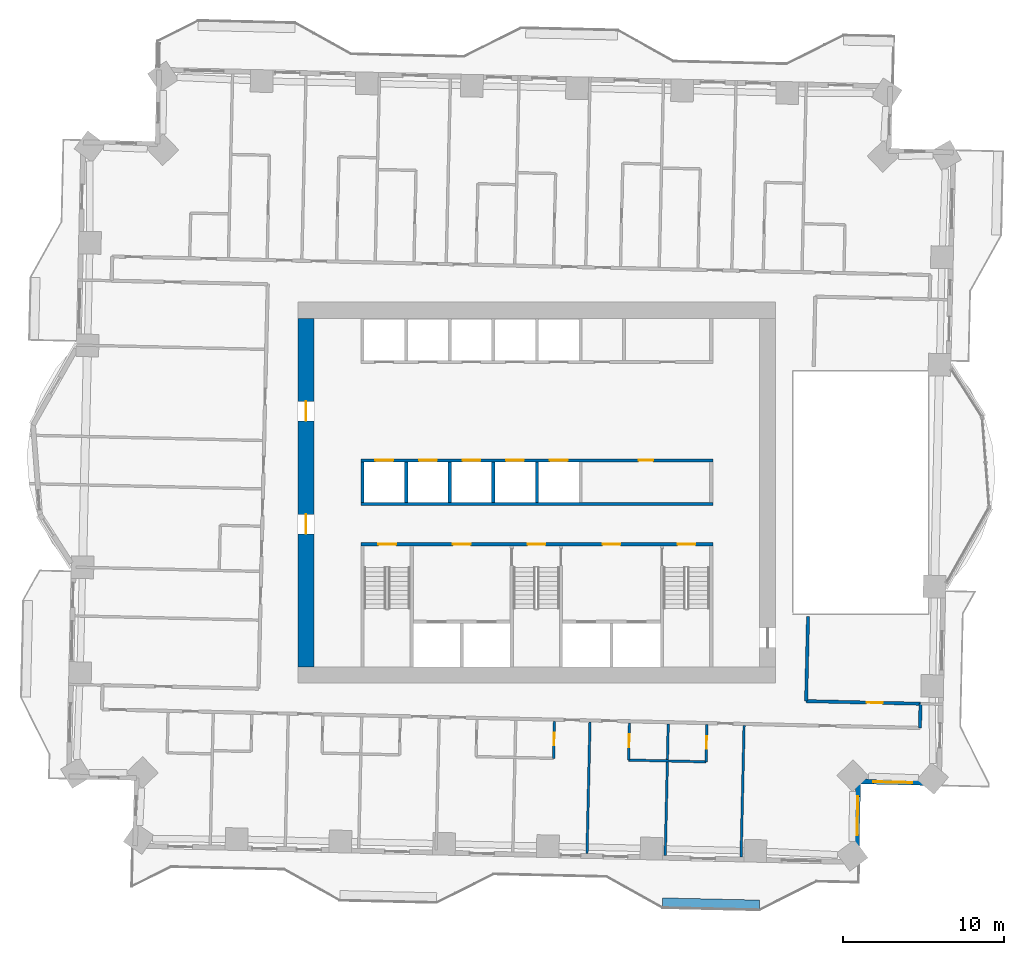
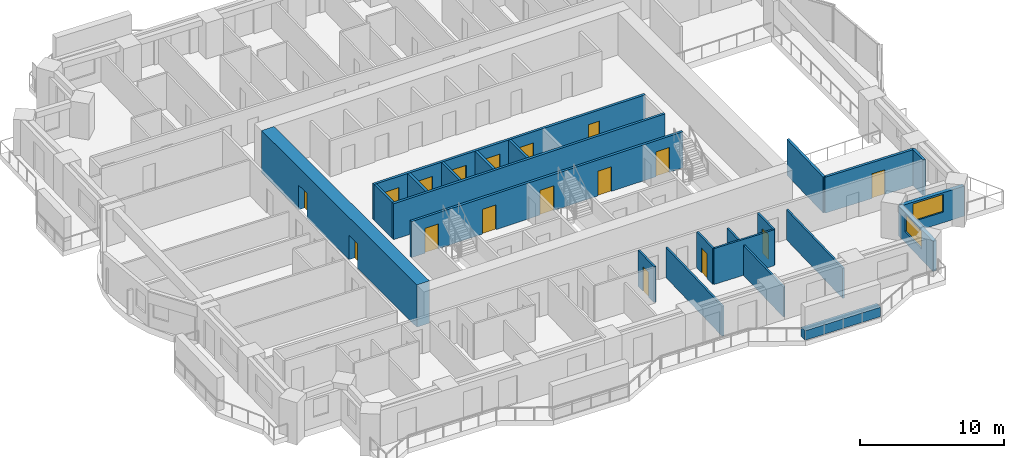
# One storey, part 8 of 16: 22 walls, 17 doors, 2 windows, 19 openings.
"""IFC4 building model written with IfcOpenShell, lengths in metres."""

from ifc_helpers import new_model, si_unit, direction, frame, frame_2d, origin, place, context, subcontext, project, spatial, rectangle, extrude, material, layer, layer_set, type_object, element, fill, save


model = new_model("IFC4")

# Units and contexts
model_context = context("Model", 3, precision=1e-05, world=origin(), true_north=direction((0.0, 1.0)))
body_context = subcontext(model_context, "Body", "Model", "MODEL_VIEW")
ifc_project = project(units=[si_unit("LENGTHUNIT", "METRE"), si_unit("AREAUNIT", "SQUARE_METRE"), si_unit("VOLUMEUNIT", "CUBIC_METRE"), si_unit("PLANEANGLEUNIT", "RADIAN"), si_unit("MASSUNIT", "GRAM", prefix="KILO")], contexts=[model_context])

# Site, building, storey
site_placement = place(None, origin())
site = spatial("IfcSite", under=ifc_project, at=site_placement, CompositionType="ELEMENT")
building_placement = place(site_placement, origin())
building = spatial("IfcBuilding", under=site, at=building_placement, Name="Mangrove Gate Tower", CompositionType="ELEMENT")
storey_placement = place(building_placement, frame((0.0, 0.0, 101.89990234375)))
storey = spatial("IfcBuildingStorey", under=building, at=storey_placement, Name="L25", CompositionType="ELEMENT", Elevation=101.89990234375)

# Wall
ifc_material_1 = material(Name="Concrete C70/85", Category="concrete")
ifc_layer_1 = layer(ifc_material_1, 0.199951171875)
ifc_layer_set_1 = layer_set([ifc_layer_1], Name="Core shaft wall 200 C70/85")
wall_type_1 = type_object("IfcWallType", Name="Core shaft wall 200 C70/85", PredefinedType="SHEAR", material=ifc_layer_set_1)
wall_1_placement = place(storey_placement, frame((-10.89990234375, -0.699951171875, 0.0), z_axis=(0.0, 0.0, 1.0), x_axis=(1.0, 0.0, 0.0)))
element("IfcWall", 1, at=wall_1_placement, inside=storey, type_object=wall_type_1, Name="WALL-L25-CORE-6", PredefinedType="SHEAR", context=body_context, shape_type="SweptSolid", body=[
    extrude(rectangle(XDim=21.7998046875, YDim=0.199951171875, at=frame_2d((10.89990234375, 0.0))), origin(), (0.0, 0.0, 1.0), 3.050048828125),
])

# Wall, openings, doors
wall_2_placement = place(storey_placement, frame((-10.89990234375, 2.0, 0.0), z_axis=(0.0, 0.0, 1.0), x_axis=(1.0, 0.0, 0.0)))
wall_2 = element("IfcWall", 2, at=wall_2_placement, inside=storey, type_object=wall_type_1, Name="WALL-L25-CORE-7", PredefinedType="SHEAR", context=body_context, shape_type="SweptSolid", body=[
    extrude(rectangle(XDim=21.7998046875, YDim=0.199951171875, at=frame_2d((10.89990234375, 0.0))), origin(), (0.0, 0.0, 1.0), 3.050048828125),
])
opening_1_placement = place(wall_2_placement, frame((0.89990234375, 0.0, 0.0)))
opening_1 = element("IfcOpeningElement", 3, at=opening_1_placement, cuts=wall_2, Name="Opening LD", PredefinedType="OPENING", context=body_context, shape_type="SweptSolid", body=[
    extrude(rectangle(XDim=1.10009765625, YDim=2.10009765625, at=frame_2d((0.550048828125, 1.050048828125))), frame((0.0, 0.10986328125, 0.0), z_axis=(0.0, -1.0, 0.0), x_axis=(1.0, 0.0, 0.0)), (0.0, 0.0, 1.0), 0.219970703125),
])
opening_2_placement = place(wall_2_placement, frame((3.60009765625, 0.0, 0.0)))
opening_2 = element("IfcOpeningElement", 4, at=opening_2_placement, cuts=wall_2, Name="Opening LD", PredefinedType="OPENING", context=body_context, shape_type="SweptSolid", body=[
    extrude(rectangle(XDim=1.10009765625, YDim=2.10009765625, at=frame_2d((0.550048828125, 1.050048828125))), frame((0.0, 0.10986328125, 0.0), z_axis=(0.0, -1.0, 0.0), x_axis=(1.0, 0.0, 0.0)), (0.0, 0.0, 1.0), 0.219970703125),
])
opening_3_placement = place(wall_2_placement, frame((6.300048828125, 0.0, 0.0)))
opening_3 = element("IfcOpeningElement", 5, at=opening_3_placement, cuts=wall_2, Name="Opening LD", PredefinedType="OPENING", context=body_context, shape_type="SweptSolid", body=[
    extrude(rectangle(XDim=1.10009765625, YDim=2.10009765625, at=frame_2d((0.550048828125, 1.050048828125))), frame((0.0, 0.10986328125, 0.0), z_axis=(0.0, -1.0, 0.0), x_axis=(1.0, 0.0, 0.0)), (0.0, 0.0, 1.0), 0.219970703125),
])
opening_4_placement = place(wall_2_placement, frame((9.0, 0.0, 0.0)))
opening_4 = element("IfcOpeningElement", 6, at=opening_4_placement, cuts=wall_2, Name="Opening LD", PredefinedType="OPENING", context=body_context, shape_type="SweptSolid", body=[
    extrude(rectangle(XDim=1.10009765625, YDim=2.10009765625, at=frame_2d((0.550048828125, 1.050048828125))), frame((0.0, 0.10986328125, 0.0), z_axis=(0.0, -1.0, 0.0), x_axis=(1.0, 0.0, 0.0)), (0.0, 0.0, 1.0), 0.219970703125),
])
opening_5_placement = place(wall_2_placement, frame((11.699951171875, 0.0, 0.0)))
opening_5 = element("IfcOpeningElement", 7, at=opening_5_placement, cuts=wall_2, Name="Opening LD", PredefinedType="OPENING", context=body_context, shape_type="SweptSolid", body=[
    extrude(rectangle(XDim=1.10009765625, YDim=2.10009765625, at=frame_2d((0.550048828125, 1.050048828125))), frame((0.0, 0.10986328125, 0.0), z_axis=(0.0, -1.0, 0.0), x_axis=(1.0, 0.0, 0.0)), (0.0, 0.0, 1.0), 0.219970703125),
])
opening_6_placement = place(wall_2_placement, frame((17.199951171875, 0.0, 0.0)))
opening_6 = element("IfcOpeningElement", 8, at=opening_6_placement, cuts=wall_2, Name="Opening RD", PredefinedType="OPENING", context=body_context, shape_type="SweptSolid", body=[
    extrude(rectangle(XDim=0.89990234375, YDim=2.10009765625, at=frame_2d((0.449951171875, 1.050048828125))), frame((0.0, 0.10986328125, 0.0), z_axis=(0.0, -1.0, 0.0), x_axis=(1.0, 0.0, 0.0)), (0.0, 0.0, 1.0), 0.219970703125),
])
ifc_material_2 = material(Name="Stainless steel 316", Category="steel")
door_type_1 = type_object("IfcDoorType", Name="Lift landing door 1100x2100", OperationType="SLIDING_TO_LEFT", PredefinedType="DOOR", material=ifc_material_2)
door_1_placement = place(opening_1_placement, origin())
door_1 = element("IfcDoor", 9, at=door_1_placement, inside=storey, type_object=door_type_1, Name="Landing door LD P01", OperationType="SLIDING_TO_LEFT", OverallHeight=2.10009765625, OverallWidth=1.10009765625, PredefinedType="DOOR", context=body_context, shape_type="SweptSolid", body=[
    extrude(rectangle(XDim=1.10009765625, YDim=2.10009765625, at=frame_2d((0.550048828125, 1.050048828125))), frame((0.0, 0.02490234375, 0.0), z_axis=(0.0, -1.0, 0.0), x_axis=(1.0, 0.0, 0.0)), (0.0, 0.0, 1.0), 0.050048828125),
])
fill(opening_1, door_1)
door_2_placement = place(opening_2_placement, origin())
door_2 = element("IfcDoor", 10, at=door_2_placement, inside=storey, type_object=door_type_1, Name="Landing door LD P02", OperationType="SLIDING_TO_LEFT", OverallHeight=2.10009765625, OverallWidth=1.10009765625, PredefinedType="DOOR", context=body_context, shape_type="SweptSolid", body=[
    extrude(rectangle(XDim=1.10009765625, YDim=2.10009765625, at=frame_2d((0.550048828125, 1.050048828125))), frame((0.0, 0.02490234375, 0.0), z_axis=(0.0, -1.0, 0.0), x_axis=(1.0, 0.0, 0.0)), (0.0, 0.0, 1.0), 0.050048828125),
])
fill(opening_2, door_2)
door_3_placement = place(opening_3_placement, origin())
door_3 = element("IfcDoor", 11, at=door_3_placement, inside=storey, type_object=door_type_1, Name="Landing door LD P03", OperationType="SLIDING_TO_LEFT", OverallHeight=2.10009765625, OverallWidth=1.10009765625, PredefinedType="DOOR", context=body_context, shape_type="SweptSolid", body=[
    extrude(rectangle(XDim=1.10009765625, YDim=2.10009765625, at=frame_2d((0.550048828125, 1.050048828125))), frame((0.0, 0.02490234375, 0.0), z_axis=(0.0, -1.0, 0.0), x_axis=(1.0, 0.0, 0.0)), (0.0, 0.0, 1.0), 0.050048828125),
])
fill(opening_3, door_3)
door_4_placement = place(opening_4_placement, origin())
door_4 = element("IfcDoor", 12, at=door_4_placement, inside=storey, type_object=door_type_1, Name="Landing door LD P04", OperationType="SLIDING_TO_LEFT", OverallHeight=2.10009765625, OverallWidth=1.10009765625, PredefinedType="DOOR", context=body_context, shape_type="SweptSolid", body=[
    extrude(rectangle(XDim=1.10009765625, YDim=2.10009765625, at=frame_2d((0.550048828125, 1.050048828125))), frame((0.0, 0.02490234375, 0.0), z_axis=(0.0, -1.0, 0.0), x_axis=(1.0, 0.0, 0.0)), (0.0, 0.0, 1.0), 0.050048828125),
])
fill(opening_4, door_4)
door_5_placement = place(opening_5_placement, origin())
door_5 = element("IfcDoor", 13, at=door_5_placement, inside=storey, type_object=door_type_1, Name="Landing door LD P05", OperationType="SLIDING_TO_LEFT", OverallHeight=2.10009765625, OverallWidth=1.10009765625, PredefinedType="DOOR", context=body_context, shape_type="SweptSolid", body=[
    extrude(rectangle(XDim=1.10009765625, YDim=2.10009765625, at=frame_2d((0.550048828125, 1.050048828125))), frame((0.0, 0.02490234375, 0.0), z_axis=(0.0, -1.0, 0.0), x_axis=(1.0, 0.0, 0.0)), (0.0, 0.0, 1.0), 0.050048828125),
])
fill(opening_5, door_5)
ifc_material_3 = material(Name="Fire-rated steel door set", Category="steel")
door_type_2 = type_object("IfcDoorType", Name="Riser door FD30S 900x2100", OperationType="SINGLE_SWING_LEFT", PredefinedType="DOOR", material=ifc_material_3)
door_6_placement = place(opening_6_placement, origin())
door_6 = element("IfcDoor", 14, at=door_6_placement, inside=storey, type_object=door_type_2, Name="Riser door Electrical room", OperationType="SINGLE_SWING_LEFT", OverallHeight=2.10009765625, OverallWidth=0.89990234375, PredefinedType="DOOR", context=body_context, shape_type="SweptSolid", body=[
    extrude(rectangle(XDim=0.89990234375, YDim=2.10009765625, at=frame_2d((0.449951171875, 1.050048828125))), frame((0.0, 0.02490234375, 0.0), z_axis=(0.0, -1.0, 0.0), x_axis=(1.0, 0.0, 0.0)), (0.0, 0.0, 1.0), 0.050048828125),
])
fill(opening_6, door_6)

# Walls
for number, where, z_axis, x_axis, name in (
    (15, (-10.800048828125, -0.60009765625, 0.0), (0.0, 0.0, 1.0), (0.0, 1.0, 0.0), "WALL-L25-CORE-19"),
    (16, (-8.10009765625, -0.60009765625, 0.0), (0.0, 0.0, 1.0), (0.0, 1.0, 0.0), "WALL-L25-CORE-20"),
    (17, (-5.39990234375, -0.60009765625, 0.0), (0.0, 0.0, 1.0), (0.0, 1.0, 0.0), "WALL-L25-CORE-21"),
    (18, (-2.699951171875, -0.60009765625, 0.0), (0.0, 0.0, 1.0), (0.0, 1.0, 0.0), "WALL-L25-CORE-22"),
    (19, (0.0, -0.60009765625, 0.0), (0.0, 0.0, 1.0), (0.0, 1.0, 0.0), "WALL-L25-CORE-23"),
):
    element("IfcWall", number, at=place(storey_placement, frame(where, z_axis=z_axis, x_axis=x_axis)), inside=storey, type_object=wall_type_1, Name=name, PredefinedType="SHEAR", context=body_context, shape_type="SweptSolid", body=[
        extrude(rectangle(XDim=2.5, YDim=0.199951171875, at=frame_2d((1.25, 0.0))), origin(), (0.0, 0.0, 1.0), 3.050048828125),
    ])

# Wall, openings, doors
ifc_material_4 = material(Name="Concrete C70/85", Category="concrete")
ifc_layer_2 = layer(ifc_material_4, 0.199951171875)
ifc_layer_set_2 = layer_set([ifc_layer_2], Name="Core stair wall 200 C70/85")
wall_type_2 = type_object("IfcWallType", Name="Core stair wall 200 C70/85", PredefinedType="SHEAR", material=ifc_layer_set_2)
wall_3_placement = place(storey_placement, frame((-10.89990234375, -3.199951171875, 0.0), z_axis=(0.0, 0.0, 1.0), x_axis=(1.0, 0.0, 0.0)))
wall_3 = element("IfcWall", 20, at=wall_3_placement, inside=storey, type_object=wall_type_2, Name="WALL-L25-CORE-5", PredefinedType="SHEAR", context=body_context, shape_type="SweptSolid", body=[
    extrude(rectangle(XDim=21.7998046875, YDim=0.199951171875, at=frame_2d((10.89990234375, 0.0))), origin(), (0.0, 0.0, 1.0), 3.050048828125),
])
opening_7_placement = place(wall_3_placement, frame((1.074951171875, 0.0, 0.0)))
opening_7 = element("IfcOpeningElement", 21, at=opening_7_placement, cuts=wall_3, Name="Opening STD11", PredefinedType="OPENING", context=body_context, shape_type="SweptSolid", body=[
    extrude(rectangle(XDim=1.10009765625, YDim=2.10009765625, at=frame_2d((0.550048828125, 1.050048828125))), frame((0.0, 0.10986328125, 0.0), z_axis=(0.0, -1.0, 0.0), x_axis=(1.0, 0.0, 0.0)), (0.0, 0.0, 1.0), 0.219970703125),
])
opening_8_placement = place(wall_3_placement, frame((10.324951171875, 0.0, 0.0)))
opening_8 = element("IfcOpeningElement", 22, at=opening_8_placement, cuts=wall_3, Name="Opening STD11", PredefinedType="OPENING", context=body_context, shape_type="SweptSolid", body=[
    extrude(rectangle(XDim=1.10009765625, YDim=2.10009765625, at=frame_2d((0.550048828125, 1.050048828125))), frame((0.0, 0.10986328125, 0.0), z_axis=(0.0, -1.0, 0.0), x_axis=(1.0, 0.0, 0.0)), (0.0, 0.0, 1.0), 0.219970703125),
])
opening_9_placement = place(wall_3_placement, frame((19.625, 0.0, 0.0)))
opening_9 = element("IfcOpeningElement", 23, at=opening_9_placement, cuts=wall_3, Name="Opening STD11", PredefinedType="OPENING", context=body_context, shape_type="SweptSolid", body=[
    extrude(rectangle(XDim=1.10009765625, YDim=2.10009765625, at=frame_2d((0.550048828125, 1.050048828125))), frame((0.0, 0.10986328125, 0.0), z_axis=(0.0, -1.0, 0.0), x_axis=(1.0, 0.0, 0.0)), (0.0, 0.0, 1.0), 0.219970703125),
])
opening_10_placement = place(wall_3_placement, frame((5.699951171875, 0.0, 0.0)))
opening_10 = element("IfcOpeningElement", 24, at=opening_10_placement, cuts=wall_3, Name="Opening FL", PredefinedType="OPENING", context=body_context, shape_type="SweptSolid", body=[
    extrude(rectangle(XDim=1.10009765625, YDim=2.10009765625, at=frame_2d((0.550048828125, 1.050048828125))), frame((0.0, 0.10986328125, 0.0), z_axis=(0.0, -1.0, 0.0), x_axis=(1.0, 0.0, 0.0)), (0.0, 0.0, 1.0), 0.219970703125),
])
opening_11_placement = place(wall_3_placement, frame((14.97509765625, 0.0, 0.0)))
opening_11 = element("IfcOpeningElement", 25, at=opening_11_placement, cuts=wall_3, Name="Opening FL", PredefinedType="OPENING", context=body_context, shape_type="SweptSolid", body=[
    extrude(rectangle(XDim=1.10009765625, YDim=2.10009765625, at=frame_2d((0.550048828125, 1.050048828125))), frame((0.0, 0.10986328125, 0.0), z_axis=(0.0, -1.0, 0.0), x_axis=(1.0, 0.0, 0.0)), (0.0, 0.0, 1.0), 0.219970703125),
])
ifc_material_5 = material(Name="Fire-rated steel door set", Category="steel")
door_type_3 = type_object("IfcDoorType", Name="Lobby door FD60 1100x2100", OperationType="SINGLE_SWING_LEFT", PredefinedType="DOOR", material=ifc_material_5)
door_7_placement = place(opening_10_placement, origin())
door_7 = element("IfcDoor", 26, at=door_7_placement, inside=storey, type_object=door_type_3, Name="Lobby door service lobby", OperationType="SINGLE_SWING_LEFT", OverallHeight=2.10009765625, OverallWidth=1.10009765625, PredefinedType="DOOR", context=body_context, shape_type="SweptSolid", body=[
    extrude(rectangle(XDim=1.10009765625, YDim=2.10009765625, at=frame_2d((0.550048828125, 1.050048828125))), frame((0.0, 0.02490234375, 0.0), z_axis=(0.0, -1.0, 0.0), x_axis=(1.0, 0.0, 0.0)), (0.0, 0.0, 1.0), 0.050048828125),
])
fill(opening_10, door_7)
door_8_placement = place(opening_11_placement, origin())
door_8 = element("IfcDoor", 27, at=door_8_placement, inside=storey, type_object=door_type_3, Name="Lobby door fire-fighting lobby", OperationType="SINGLE_SWING_LEFT", OverallHeight=2.10009765625, OverallWidth=1.10009765625, PredefinedType="DOOR", context=body_context, shape_type="SweptSolid", body=[
    extrude(rectangle(XDim=1.10009765625, YDim=2.10009765625, at=frame_2d((0.550048828125, 1.050048828125))), frame((0.0, 0.02490234375, 0.0), z_axis=(0.0, -1.0, 0.0), x_axis=(1.0, 0.0, 0.0)), (0.0, 0.0, 1.0), 0.050048828125),
])
fill(opening_11, door_8)
ifc_material_6 = material(Name="Fire-rated steel door set", Category="steel")
door_type_4 = type_object("IfcDoorType", Name="Stair door FD60 1100x2100", OperationType="SINGLE_SWING_RIGHT", PredefinedType="DOOR", material=ifc_material_6)
door_9_placement = place(opening_7_placement, origin())
door_9 = element("IfcDoor", 28, at=door_9_placement, inside=storey, type_object=door_type_4, Name="Stair door Stair 1", OperationType="SINGLE_SWING_RIGHT", OverallHeight=2.10009765625, OverallWidth=1.10009765625, PredefinedType="DOOR", context=body_context, shape_type="SweptSolid", body=[
    extrude(rectangle(XDim=1.10009765625, YDim=2.10009765625, at=frame_2d((0.550048828125, 1.050048828125))), frame((0.0, 0.02490234375, 0.0), z_axis=(0.0, -1.0, 0.0), x_axis=(1.0, 0.0, 0.0)), (0.0, 0.0, 1.0), 0.050048828125),
])
fill(opening_7, door_9)
door_10_placement = place(opening_8_placement, origin())
door_10 = element("IfcDoor", 29, at=door_10_placement, inside=storey, type_object=door_type_4, Name="Stair door Stair 2", OperationType="SINGLE_SWING_RIGHT", OverallHeight=2.10009765625, OverallWidth=1.10009765625, PredefinedType="DOOR", context=body_context, shape_type="SweptSolid", body=[
    extrude(rectangle(XDim=1.10009765625, YDim=2.10009765625, at=frame_2d((0.550048828125, 1.050048828125))), frame((0.0, 0.02490234375, 0.0), z_axis=(0.0, -1.0, 0.0), x_axis=(1.0, 0.0, 0.0)), (0.0, 0.0, 1.0), 0.050048828125),
])
fill(opening_8, door_10)
door_11_placement = place(opening_9_placement, origin())
door_11 = element("IfcDoor", 30, at=door_11_placement, inside=storey, type_object=door_type_4, Name="Stair door Stair 3", OperationType="SINGLE_SWING_RIGHT", OverallHeight=2.10009765625, OverallWidth=1.10009765625, PredefinedType="DOOR", context=body_context, shape_type="SweptSolid", body=[
    extrude(rectangle(XDim=1.10009765625, YDim=2.10009765625, at=frame_2d((0.550048828125, 1.050048828125))), frame((0.0, 0.02490234375, 0.0), z_axis=(0.0, -1.0, 0.0), x_axis=(1.0, 0.0, 0.0)), (0.0, 0.0, 1.0), 0.050048828125),
])
fill(opening_9, door_11)

ifc_material_7 = material(Name="Concrete C70/85", Category="concrete")
ifc_layer_3 = layer(ifc_material_7, 1.0)
ifc_layer_set_3 = layer_set([ifc_layer_3], Name="Core wall 1000 C70/85")
wall_type_3 = type_object("IfcWallType", Name="Core wall 1000 C70/85", PredefinedType="SHEAR", material=ifc_layer_set_3)
wall_4_placement = place(storey_placement, frame((-14.300048828125, -10.800048828125, 0.0), z_axis=(0.0, 0.0, 1.0), x_axis=(0.0, 1.0, 0.0)))
wall_4 = element("IfcWall", 31, at=wall_4_placement, inside=storey, type_object=wall_type_3, Name="WALL-L25-CORE-3", PredefinedType="SHEAR", context=body_context, shape_type="SweptSolid", body=[
    extrude(rectangle(XDim=21.60009765625, YDim=1.0, at=frame_2d((10.800048828125, 0.0))), origin(), (0.0, 0.0, 1.0), 3.60009765625),
])
opening_12_placement = place(wall_4_placement, frame((8.25, 0.0, 0.0)))
opening_12 = element("IfcOpeningElement", 32, at=opening_12_placement, cuts=wall_4, Name="Opening CD", PredefinedType="OPENING", context=body_context, shape_type="SweptSolid", body=[
    extrude(rectangle(XDim=1.199951171875, YDim=2.10009765625, at=frame_2d((0.60009765625, 1.050048828125))), frame((0.0, 0.510009765625, 0.0), z_axis=(0.0, -1.0, 0.0), x_axis=(1.0, 0.0, 0.0)), (0.0, 0.0, 1.0), 1.02001953125),
])
opening_13_placement = place(wall_4_placement, frame((15.25, 0.0, 0.0)))
opening_13 = element("IfcOpeningElement", 33, at=opening_13_placement, cuts=wall_4, Name="Opening CD", PredefinedType="OPENING", context=body_context, shape_type="SweptSolid", body=[
    extrude(rectangle(XDim=1.199951171875, YDim=2.10009765625, at=frame_2d((0.60009765625, 1.050048828125))), frame((0.0, 0.510009765625, 0.0), z_axis=(0.0, -1.0, 0.0), x_axis=(1.0, 0.0, 0.0)), (0.0, 0.0, 1.0), 1.02001953125),
])
ifc_material_8 = material(Name="Fire-rated steel door set", Category="steel")
door_type_5 = type_object("IfcDoorType", Name="Core ring door FD60 1200x2100", OperationType="DOUBLE_DOOR_SINGLE_SWING", PredefinedType="DOOR", material=ifc_material_8)
door_12_placement = place(opening_12_placement, origin())
door_12 = element("IfcDoor", 34, at=door_12_placement, inside=storey, type_object=door_type_5, Name="Core ring door W1", OperationType="DOUBLE_DOOR_SINGLE_SWING", OverallHeight=2.10009765625, OverallWidth=1.199951171875, PredefinedType="DOOR", context=body_context, shape_type="SweptSolid", body=[
    extrude(rectangle(XDim=1.199951171875, YDim=2.10009765625, at=frame_2d((0.60009765625, 1.050048828125))), frame((0.0, 0.02490234375, 0.0), z_axis=(0.0, -1.0, 0.0), x_axis=(1.0, 0.0, 0.0)), (0.0, 0.0, 1.0), 0.050048828125),
])
fill(opening_12, door_12)
door_13_placement = place(opening_13_placement, origin())
door_13 = element("IfcDoor", 35, at=door_13_placement, inside=storey, type_object=door_type_5, Name="Core ring door W2", OperationType="DOUBLE_DOOR_SINGLE_SWING", OverallHeight=2.10009765625, OverallWidth=1.199951171875, PredefinedType="DOOR", context=body_context, shape_type="SweptSolid", body=[
    extrude(rectangle(XDim=1.199951171875, YDim=2.10009765625, at=frame_2d((0.60009765625, 1.050048828125))), frame((0.0, 0.02490234375, 0.0), z_axis=(0.0, -1.0, 0.0), x_axis=(1.0, 0.0, 0.0)), (0.0, 0.0, 1.0), 0.050048828125),
])
fill(opening_13, door_13)

# Wall
ifc_material_9 = material(Name="Gypsum board on steel stud, EI 60", Category="steel")
ifc_layer_4 = layer(ifc_material_9, 0.199951171875)
ifc_layer_set_4 = layer_set([ifc_layer_4], Name="Corridor wall EI 60")
wall_type_4 = type_object("IfcWallType", Name="Corridor wall EI 60", PredefinedType="PARTITIONING", material=ifc_layer_set_4)
wall_5_placement = place(storey_placement, frame((23.738037109375, -14.5791015625, 0.0), z_axis=(0.0, 0.0, 1.0), x_axis=(0.022617910375, 0.999744182344, 0.0)))
element("IfcWall", 36, at=wall_5_placement, inside=storey, type_object=wall_type_4, Name="WALL-L25-024", PredefinedType="PARTITIONING", context=body_context, shape_type="SweptSolid", body=[
    extrude(rectangle(XDim=1.50048828125, YDim=0.199951171875, at=frame_2d((0.750244140625, 0.0))), origin(), (0.0, 0.0, 1.0), 3.050048828125),
])

# Wall, opening, door
wall_6_placement = place(storey_placement, frame((16.678955078125, -12.91796875, 0.0), z_axis=(0.0, 0.0, 1.0), x_axis=(0.999739218926, -0.02283624622, 0.0)))
wall_6 = element("IfcWall", 37, at=wall_6_placement, inside=storey, type_object=wall_type_4, Name="WALL-L25-028", PredefinedType="PARTITIONING", context=body_context, shape_type="SweptSolid", body=[
    extrude(rectangle(XDim=7.098876953125, YDim=0.199951171875, at=frame_2d((3.54931640625, 0.0))), origin(), (0.0, 0.0, 1.0), 3.050048828125),
])
opening_14_placement = place(wall_6_placement, frame((3.7490234375, 0.0, 0.0)))
opening_14 = element("IfcOpeningElement", 38, at=opening_14_placement, cuts=wall_6, Name="Opening AD", PredefinedType="OPENING", context=body_context, shape_type="SweptSolid", body=[
    extrude(rectangle(XDim=1.0, YDim=2.10009765625, at=frame_2d((0.5, 1.050048828125))), frame((0.0, 0.10986328125, 0.0), z_axis=(0.0, -1.0, 0.0), x_axis=(1.0, 0.0, 0.0)), (0.0, 0.0, 1.0), 0.219970703125),
])
ifc_material_10 = material(Name="Timber door leaf", Category="wood")
door_type_6 = type_object("IfcDoorType", Name="Amenity door 1000", OperationType="SINGLE_SWING_LEFT", PredefinedType="DOOR", material=ifc_material_10)
door_14_placement = place(opening_14_placement, origin())
door_14 = element("IfcDoor", 39, at=door_14_placement, inside=storey, type_object=door_type_6, Name="DOOR-L25-KIT-c3a", OperationType="SINGLE_SWING_LEFT", OverallHeight=2.10009765625, OverallWidth=1.0, PredefinedType="DOOR", context=body_context, shape_type="SweptSolid", body=[
    extrude(rectangle(XDim=1.0, YDim=2.10009765625, at=frame_2d((0.5, 1.050048828125))), frame((0.0, 0.02490234375, 0.0), z_axis=(0.0, -1.0, 0.0), x_axis=(1.0, 0.0, 0.0)), (0.0, 0.0, 1.0), 0.050048828125),
])
fill(opening_14, door_14)

# Wall
wall_7_placement = place(storey_placement, frame((16.68408203125, -12.9189453125, 0.0), z_axis=(0.0, 0.0, 1.0), x_axis=(0.022667483124, 0.999743059595, 0.0)))
element("IfcWall", 40, at=wall_7_placement, inside=storey, type_object=wall_type_4, Name="WALL-L25-029", PredefinedType="PARTITIONING", context=body_context, shape_type="SweptSolid", body=[
    extrude(rectangle(XDim=5.245361328125, YDim=0.199951171875, at=frame_2d((2.62255859375, 0.0))), origin(), (0.0, 0.0, 1.0), 3.050048828125),
])

# Wall, opening, window
ifc_material_11 = material(Name="Limestone", Category="masonry")
ifc_layer_5 = layer(ifc_material_11, 0.0400390625, Name="Limestone cladding")
ifc_material_12 = material(Name="Ventilated air gap")
ifc_layer_6 = layer(ifc_material_12, 0.0400390625, Name="Ventilated cavity")
ifc_material_13 = material(Name="Mineral wool insulation")
ifc_layer_7 = layer(ifc_material_13, 0.06005859375, Name="Insulation")
ifc_material_14 = material(Name="Breather membrane")
ifc_layer_8 = layer(ifc_material_14, 0.001953125, Name="Breather membrane")
ifc_material_15 = material(Name="Concrete C20/25 blockwork", Category="masonry")
ifc_layer_9 = layer(ifc_material_15, 0.14990234375, Name="Blockwork backing wall")
ifc_material_16 = material(Name="Gypsum plaster")
ifc_layer_10 = layer(ifc_material_16, 0.008056640625, Name="Internal plaster")
ifc_layer_set_5 = layer_set([ifc_layer_5, ifc_layer_6, ifc_layer_7, ifc_layer_8, ifc_layer_9, ifc_layer_10], Name="External wall 300 limestone cladding")
wall_type_5 = type_object("IfcWallType", Name="External wall 300 limestone cladding", PredefinedType="SOLIDWALL", material=ifc_layer_set_5)
wall_8_placement = place(storey_placement, frame((19.802978515625, -22.89208984375, 0.0), z_axis=(0.0, 0.0, 1.0), x_axis=(0.022606059803, 0.999744450377, 0.0)))
wall_8 = element("IfcWall", 41, at=wall_8_placement, inside=storey, type_object=wall_type_5, Name="WALL-L25-E14", PredefinedType="SOLIDWALL", context=body_context, shape_type="SweptSolid", body=[
    extrude(rectangle(XDim=5.000244140625, YDim=0.300048828125, at=frame_2d((2.5, 0.0))), origin(), (0.0, 0.0, 1.0), 2.550048828125),
])
opening_15_placement = place(wall_8_placement, frame((1.669921875, 0.0, 0.89990234375)))
opening_15 = element("IfcOpeningElement", 42, at=opening_15_placement, cuts=wall_8, Name="Opening W2", PredefinedType="OPENING", context=body_context, shape_type="SweptSolid", body=[
    extrude(rectangle(XDim=2.39990234375, YDim=1.5, at=frame_2d((1.199951171875, 0.75))), frame((0.0, 0.159912109375, 0.0), z_axis=(0.0, -1.0, 0.0), x_axis=(1.0, 0.0, 0.0)), (0.0, 0.0, 1.0), 0.320068359375),
])
ifc_material_17 = material(Name="Aluminium frame with double-glazed low-e glass", Category="aluminium")
window_type = type_object("IfcWindowType", Name="Corner room window 2400x1500", PartitioningType="DOUBLE_PANEL_VERTICAL", PredefinedType="WINDOW", material=ifc_material_17)
window_1_placement = place(opening_15_placement, origin())
window_1 = element("IfcWindow", 43, at=window_1_placement, inside=storey, type_object=window_type, Name="WIN-L25-E14-1", OverallHeight=1.5, OverallWidth=2.39990234375, PartitioningType="DOUBLE_PANEL_VERTICAL", PredefinedType="WINDOW", context=body_context, shape_type="SweptSolid", body=[
    extrude(rectangle(XDim=2.39990234375, YDim=1.5, at=frame_2d((1.199951171875, 0.75))), frame((0.0, 0.030029296875, 0.0), z_axis=(0.0, -1.0, 0.0), x_axis=(1.0, 0.0, 0.0)), (0.0, 0.0, 1.0), 0.06005859375),
])
fill(opening_15, window_1)

wall_9_placement = place(storey_placement, frame((19.916015625, -17.89306640625, 0.0), z_axis=(0.0, 0.0, 1.0), x_axis=(0.999740017489, -0.022801259434, 0.0)))
wall_9 = element("IfcWall", 44, at=wall_9_placement, inside=storey, type_object=wall_type_5, Name="WALL-L25-S15", PredefinedType="SOLIDWALL", context=body_context, shape_type="SweptSolid", body=[
    extrude(rectangle(XDim=5.000244140625, YDim=0.300048828125, at=frame_2d((2.5, 0.0))), origin(), (0.0, 0.0, 1.0), 2.550048828125),
])
opening_16_placement = place(wall_9_placement, frame((0.93310546875, 0.0, 0.89990234375)))
opening_16 = element("IfcOpeningElement", 45, at=opening_16_placement, cuts=wall_9, Name="Opening W2", PredefinedType="OPENING", context=body_context, shape_type="SweptSolid", body=[
    extrude(rectangle(XDim=2.39990234375, YDim=1.5, at=frame_2d((1.199951171875, 0.75))), frame((0.0, 0.159912109375, 0.0), z_axis=(0.0, -1.0, 0.0), x_axis=(1.0, 0.0, 0.0)), (0.0, 0.0, 1.0), 0.320068359375),
])
window_2_placement = place(opening_16_placement, origin())
window_2 = element("IfcWindow", 46, at=window_2_placement, inside=storey, type_object=window_type, Name="WIN-L25-S15-1", OverallHeight=1.5, OverallWidth=2.39990234375, PartitioningType="DOUBLE_PANEL_VERTICAL", PredefinedType="WINDOW", context=body_context, shape_type="SweptSolid", body=[
    extrude(rectangle(XDim=2.39990234375, YDim=1.5, at=frame_2d((1.199951171875, 0.75))), frame((0.0, 0.030029296875, 0.0), z_axis=(0.0, -1.0, 0.0), x_axis=(1.0, 0.0, 0.0)), (0.0, 0.0, 1.0), 0.06005859375),
])
fill(opening_16, window_2)

# Walls
ifc_material_18 = material(Name="Gypsum board on steel stud, EI 60", Category="steel")
ifc_layer_11 = layer(ifc_material_18, 0.14990234375)
ifc_layer_set_6 = layer_set([ifc_layer_11], Name="Party wall 150 EI 60")
wall_type_6 = type_object("IfcWallType", Name="Party wall 150 EI 60", PredefinedType="PARTITIONING", material=ifc_layer_set_6)
for number, where, z_axis, x_axis, name in (
    (47, (3.10595703125, -22.363037109375, 0.0), (0.0, 0.0, 1.0), (0.022706435224, 0.999742175663, 0.0), "WALL-L25-006"),
    (48, (7.955078125, -22.472900390625, 0.0), (0.0, 0.0, 1.0), (0.022676494918, 0.999742855227, 0.0), "WALL-L25-007"),
):
    element("IfcWall", number, at=place(storey_placement, frame(where, z_axis=z_axis, x_axis=x_axis)), inside=storey, type_object=wall_type_6, Name=name, PredefinedType="PARTITIONING", context=body_context, shape_type="SweptSolid", body=[
        extrude(rectangle(XDim=8.150146484375, YDim=0.14990234375, at=frame_2d((4.0751953125, 0.0))), origin(), (0.0, 0.0, 1.0), 2.550048828125),
    ])
wall_10_placement = place(storey_placement, frame((12.654052734375, -22.580078125, 0.0), z_axis=(0.0, 0.0, 1.0), x_axis=(0.022705755232, 0.999742191107, 0.0)))
element("IfcWall", 49, at=wall_10_placement, inside=storey, type_object=wall_type_6, Name="WALL-L25-008", PredefinedType="PARTITIONING", context=body_context, shape_type="SweptSolid", body=[
    extrude(rectangle(XDim=8.150390625, YDim=0.14990234375, at=frame_2d((4.0751953125, 0.0))), origin(), (0.0, 0.0, 1.0), 2.550048828125),
])

# Wall, opening, door
wall_11_placement = place(storey_placement, frame((1.0400390625, -16.465087890625, 0.0), z_axis=(0.0, 0.0, 1.0), x_axis=(0.022603288534, 0.999744513037, 0.0)))
wall_11 = element("IfcWall", 50, at=wall_11_placement, inside=storey, type_object=wall_type_6, Name="WALL-L25-018", PredefinedType="PARTITIONING", context=body_context, shape_type="SweptSolid", body=[
    extrude(rectangle(XDim=2.300537109375, YDim=0.14990234375, at=frame_2d((1.150390625, 0.0))), origin(), (0.0, 0.0, 1.0), 3.050048828125),
])
opening_17_placement = place(wall_11_placement, frame((0.800048828125, 0.0, 0.0)))
opening_17 = element("IfcOpeningElement", 51, at=opening_17_placement, cuts=wall_11, Name="Opening ED", PredefinedType="OPENING", context=body_context, shape_type="SweptSolid", body=[
    extrude(rectangle(XDim=0.800048828125, YDim=2.10009765625, at=frame_2d((0.39990234375, 1.050048828125))), frame((0.0, 0.0849609375, 0.0), z_axis=(0.0, -1.0, 0.0), x_axis=(1.0, 0.0, 0.0)), (0.0, 0.0, 1.0), 0.169921875),
])
ifc_material_19 = material(Name="Timber door leaf", Category="wood")
door_type_7 = type_object("IfcDoorType", Name="En-suite door 800", OperationType="SINGLE_SWING_LEFT", PredefinedType="DOOR", material=ifc_material_19)
door_15_placement = place(opening_17_placement, origin())
door_15 = element("IfcDoor", 52, at=door_15_placement, inside=storey, type_object=door_type_7, Name="DOOR-L25-ENS-c205", OperationType="SINGLE_SWING_LEFT", OverallHeight=2.10009765625, OverallWidth=0.800048828125, PredefinedType="DOOR", context=body_context, shape_type="SweptSolid", body=[
    extrude(rectangle(XDim=0.800048828125, YDim=2.10009765625, at=frame_2d((0.39990234375, 1.050048828125))), frame((0.0, 0.02490234375, 0.0), z_axis=(0.0, -1.0, 0.0), x_axis=(1.0, 0.0, 0.0)), (0.0, 0.0, 1.0), 0.050048828125),
])
fill(opening_17, door_15)

# Wall
wall_12_placement = place(storey_placement, frame((5.68505859375, -16.570068359375, 0.0), z_axis=(0.0, 0.0, 1.0), x_axis=(0.999742570398, -0.022689048768, 0.0)))
element("IfcWall", 53, at=wall_12_placement, inside=storey, type_object=wall_type_6, Name="WALL-L25-019", PredefinedType="PARTITIONING", context=body_context, shape_type="SweptSolid", body=[
    extrude(rectangle(XDim=4.799072265625, YDim=0.14990234375, at=frame_2d((2.3994140625, 0.0))), origin(), (0.0, 0.0, 1.0), 3.050048828125),
])

# Wall, opening, door
wall_13_placement = place(storey_placement, frame((5.68896484375, -16.570068359375, 0.0), z_axis=(0.0, 0.0, 1.0), x_axis=(0.022612884682, 0.999744296031, 0.0)))
wall_13 = element("IfcWall", 54, at=wall_13_placement, inside=storey, type_object=wall_type_6, Name="WALL-L25-020", PredefinedType="PARTITIONING", context=body_context, shape_type="SweptSolid", body=[
    extrude(rectangle(XDim=2.299560546875, YDim=0.14990234375, at=frame_2d((1.14990234375, 0.0))), origin(), (0.0, 0.0, 1.0), 3.050048828125),
])
opening_18_placement = place(wall_13_placement, frame((0.800048828125, 0.0, 0.0)))
opening_18 = element("IfcOpeningElement", 55, at=opening_18_placement, cuts=wall_13, Name="Opening ED", PredefinedType="OPENING", context=body_context, shape_type="SweptSolid", body=[
    extrude(rectangle(XDim=0.800048828125, YDim=2.10009765625, at=frame_2d((0.39990234375, 1.050048828125))), frame((0.0, 0.0849609375, 0.0), z_axis=(0.0, -1.0, 0.0), x_axis=(1.0, 0.0, 0.0)), (0.0, 0.0, 1.0), 0.169921875),
])
door_16_placement = place(opening_18_placement, origin())
door_16 = element("IfcDoor", 56, at=door_16_placement, inside=storey, type_object=door_type_7, Name="DOOR-L25-ENS-c206", OperationType="SINGLE_SWING_RIGHT", OverallHeight=2.10009765625, OverallWidth=0.800048828125, PredefinedType="DOOR", context=body_context, shape_type="SweptSolid", body=[
    extrude(rectangle(XDim=0.800048828125, YDim=2.10009765625, at=frame_2d((0.39990234375, 1.050048828125))), frame((0.0, 0.02490234375, 0.0), z_axis=(0.0, -1.0, 0.0), x_axis=(1.0, 0.0, 0.0)), (0.0, 0.0, 1.0), 0.050048828125),
])
fill(opening_18, door_16)

wall_14_placement = place(storey_placement, frame((10.487060546875, -16.678955078125, 0.0), z_axis=(0.0, 0.0, 1.0), x_axis=(0.022612884682, 0.999744296031, 0.0)))
wall_14 = element("IfcWall", 57, at=wall_14_placement, inside=storey, type_object=wall_type_6, Name="WALL-L25-021", PredefinedType="PARTITIONING", context=body_context, shape_type="SweptSolid", body=[
    extrude(rectangle(XDim=2.299560546875, YDim=0.14990234375, at=frame_2d((1.14990234375, 0.0))), origin(), (0.0, 0.0, 1.0), 3.050048828125),
])
opening_19_placement = place(wall_14_placement, frame((0.800048828125, 0.0, 0.0)))
opening_19 = element("IfcOpeningElement", 58, at=opening_19_placement, cuts=wall_14, Name="Opening ED", PredefinedType="OPENING", context=body_context, shape_type="SweptSolid", body=[
    extrude(rectangle(XDim=0.800048828125, YDim=2.10009765625, at=frame_2d((0.39990234375, 1.050048828125))), frame((0.0, 0.0849609375, 0.0), z_axis=(0.0, -1.0, 0.0), x_axis=(1.0, 0.0, 0.0)), (0.0, 0.0, 1.0), 0.169921875),
])
door_17_placement = place(opening_19_placement, origin())
door_17 = element("IfcDoor", 59, at=door_17_placement, inside=storey, type_object=door_type_7, Name="DOOR-L25-ENS-c307", OperationType="SINGLE_SWING_LEFT", OverallHeight=2.10009765625, OverallWidth=0.800048828125, PredefinedType="DOOR", context=body_context, shape_type="SweptSolid", body=[
    extrude(rectangle(XDim=0.800048828125, YDim=2.10009765625, at=frame_2d((0.39990234375, 1.050048828125))), frame((0.0, 0.02490234375, 0.0), z_axis=(0.0, -1.0, 0.0), x_axis=(1.0, 0.0, 0.0)), (0.0, 0.0, 1.0), 0.050048828125),
])
fill(opening_19, door_17)

# Wall
ifc_material_20 = material(Name="Concrete C32/40", Category="concrete")
ifc_layer_12 = layer(ifc_material_20, 0.199951171875, Name="Planter trough wall")
ifc_material_21 = material(Name="Bituminous waterproofing membrane")
ifc_layer_13 = layer(ifc_material_21, 0.0048828125, Name="Waterproofing")
ifc_material_22 = material(Name="Drainage board and gravel")
ifc_layer_14 = layer(ifc_material_22, 0.044921875, Name="Drainage layer")
ifc_material_23 = material(Name="Planting soil")
ifc_layer_15 = layer(ifc_material_23, 0.300048828125, Name="Growing medium")
ifc_layer_set_7 = layer_set([ifc_layer_12, ifc_layer_13, ifc_layer_14, ifc_layer_15], Name="Planter wall 550 C32/40")
wall_type_7 = type_object("IfcWallType", Name="Planter wall 550 C32/40", PredefinedType="USERDEFINED", material=ifc_layer_set_7)
wall_15_placement = place(storey_placement, frame((7.7890625, -25.385009765625, 0.0), z_axis=(0.0, 0.0, 1.0), x_axis=(0.999743094499, -0.022665943652, 0.0)))
element("IfcWall", 60, at=wall_15_placement, inside=storey, type_object=wall_type_7, Name="PLANTER L25 S1.1", ObjectType="PLANTER", PredefinedType="USERDEFINED", context=body_context, shape_type="SweptSolid", body=[
    extrude(rectangle(XDim=5.99951171875, YDim=0.550048828125, at=frame_2d((2.999755859375, 0.0))), origin(), (0.0, 0.0, 1.0), 0.800048828125),
])

save(model, "model.ifc")
